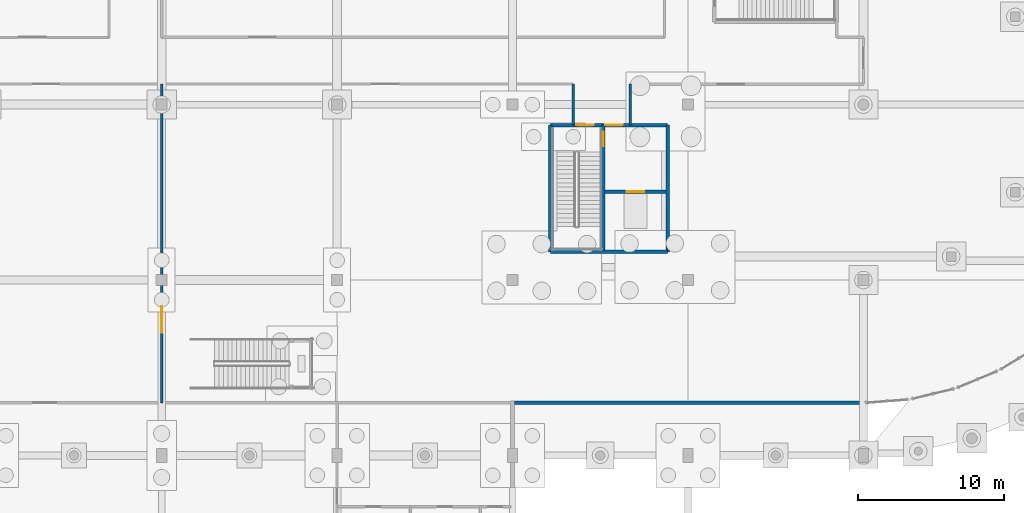
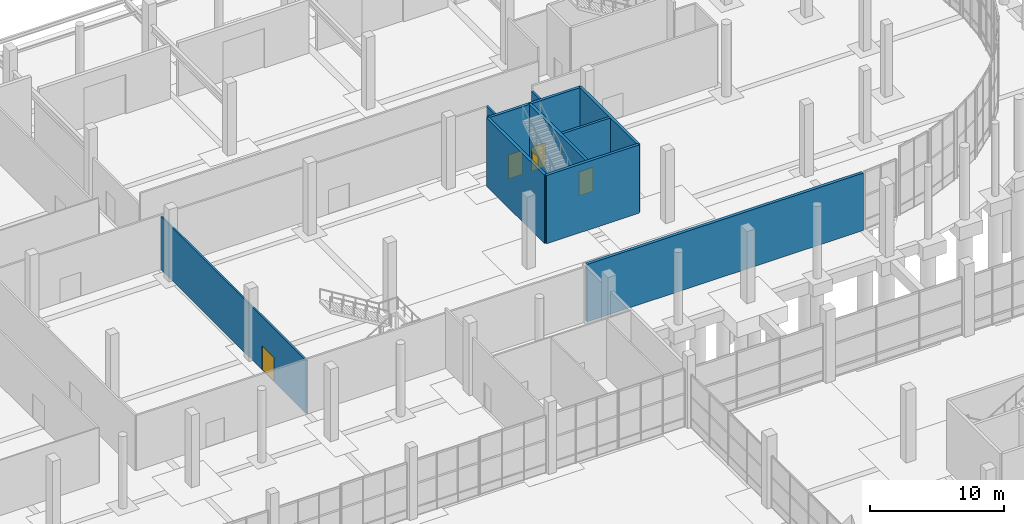
# One storey, part 93 of 117: 10 walls, 5 doors, 5 openings.
"""IFC4 building model written with IfcOpenShell, lengths in metres."""

import ifcopenshell
import ifcopenshell.guid

model = None  # the IFC model being written
_history = None  # IfcOwnerHistory: only IFC2X3 demands one
_inside = {}  # id of a spatial element -> (the spatial element, [elements in it])
_under = {}  # id of a project, library or spatial element -> (it, [spatial elements below it])
_declared = {}  # id of a project -> (the project, [libraries it declares])
_typed = {}  # id of a type object -> (the type object, [elements of that type])
_made_of = {}  # id of a material, layer set ... -> (it, [elements and type objects made of it])


def new_model(schema):
    """Start an empty IFC model of exactly this schema.

    Asked for "IFC4X3", IfcOpenShell would pick the latest addendum, in which some entities
    have other attributes; the version numbers below select the first issue.
    IFC2X3 requires an IfcOwnerHistory on every rooted entity: one is made here for all.
    """
    global model, _history
    if schema == "IFC4X3":
        model = ifcopenshell.file(schema_version=(4, 3, 0, 0))
    else:
        model = ifcopenshell.file(schema=schema)
    _inside.clear()
    _under.clear()
    _declared.clear()
    _typed.clear()
    _made_of.clear()
    _history = None
    if model.schema == "IFC2X3":
        org = make("IfcOrganization", Name="unknown")
        user = make(
            "IfcPersonAndOrganization",
            ThePerson=make("IfcPerson", FamilyName="unknown"),
            TheOrganization=org,
        )
        app = make(
            "IfcApplication",
            ApplicationDeveloper=org,
            Version="unknown",
            ApplicationFullName="unknown",
            ApplicationIdentifier="unknown",
        )
        _history = make(
            "IfcOwnerHistory",
            OwningUser=user,
            OwningApplication=app,
            ChangeAction="ADDED",
            CreationDate=0,
        )
    return model


def make(cls, **values):
    """One entity of the class cls with the attributes given. An attribute that is None is left unset."""
    return model.create_entity(
        cls, **{name: value for name, value in values.items() if value is not None}
    )


def rooted(cls, **values):
    """An entity with a GlobalId (a new one), such as an element, a storey or a relation."""
    return make(cls, GlobalId=ifcopenshell.guid.new(), OwnerHistory=_history, **values)


def si_unit(unit_type, name, prefix=None):
    """IfcSIUnit, for example si_unit("LENGTHUNIT", "METRE", prefix="MILLI")."""
    return make("IfcSIUnit", UnitType=unit_type, Prefix=prefix, Name=name)


def assignment(units):
    """IfcUnitAssignment: the units of a project."""
    return None if units is None else make("IfcUnitAssignment", Units=units)


def point(xyz):
    """IfcCartesianPoint."""
    return None if xyz is None else make("IfcCartesianPoint", Coordinates=xyz)


def direction(xyz):
    """IfcDirection."""
    return None if xyz is None else make("IfcDirection", DirectionRatios=xyz)


def frame(location, z_axis=None, x_axis=None):
    """IfcAxis2Placement3D, a coordinate frame: its origin and axes. An axis left out is left unset."""
    return make(
        "IfcAxis2Placement3D",
        Location=point(location),
        Axis=direction(z_axis),
        RefDirection=direction(x_axis),
    )


def frame_2d(location, x_axis=None):
    """IfcAxis2Placement2D, a coordinate frame in the plane: its origin and x axis."""
    return make(
        "IfcAxis2Placement2D", Location=point(location), RefDirection=direction(x_axis)
    )


def origin():
    """The frame at (0, 0, 0) with its axes left unset."""
    return frame((0.0, 0.0, 0.0))


def place(relative_to, where):
    """IfcLocalPlacement: puts the frame where relative to a parent placement (None: the world)."""
    return make(
        "IfcLocalPlacement", PlacementRelTo=relative_to, RelativePlacement=where
    )


def context(
    kind, dimensions, precision=None, world=None, true_north=None, identifier=None
):
    """IfcGeometricRepresentationContext, for example the 3D "Model" context."""
    return make(
        "IfcGeometricRepresentationContext",
        ContextIdentifier=identifier,
        ContextType=kind,
        CoordinateSpaceDimension=dimensions,
        Precision=precision,
        WorldCoordinateSystem=world,
        TrueNorth=true_north,
    )


def subcontext(parent, identifier, kind, view, scale=None):
    """IfcGeometricRepresentationSubContext, for example "Body" below "Model"."""
    return make(
        "IfcGeometricRepresentationSubContext",
        ContextIdentifier=identifier,
        ContextType=kind,
        ParentContext=parent,
        TargetScale=scale,
        TargetView=view,
    )


def project(units=None, contexts=None):
    """IfcProject with its units and contexts."""
    return rooted(
        "IfcProject",
        Name="project",
        RepresentationContexts=contexts,
        UnitsInContext=assignment(units),
    )


def spatial(cls, under=None, at=None, **own):
    """A site, building, storey or space (cls), placed at a placement, below another one or the project."""
    s = rooted(cls, ObjectPlacement=at, **own)
    if under is not None:
        _under.setdefault(under.id(), (under, []))[1].append(s)
    return s


def profile(cls, at=None, kind="AREA", **sizes):
    """A parametric profile (cls). Its sizes go by their IFC names, for example OverallWidth=200.0."""
    return make(cls, ProfileType=kind, Position=at, **sizes)


def rectangle(**sizes):
    """IfcRectangleProfileDef."""
    return profile("IfcRectangleProfileDef", **sizes)


def extrude(swept, where, along, depth):
    """IfcExtrudedAreaSolid: the profile swept, set in the frame where, extruded along a direction by depth."""
    return make(
        "IfcExtrudedAreaSolid",
        SweptArea=swept,
        Position=where,
        ExtrudedDirection=direction(along),
        Depth=depth,
    )


def shape(context_of_items, identifier, shape_type, items):
    """IfcShapeRepresentation: the items that make up one representation, for example the "Body"."""
    return make(
        "IfcShapeRepresentation",
        ContextOfItems=context_of_items,
        RepresentationIdentifier=identifier,
        RepresentationType=shape_type,
        Items=items,
    )


def material(Name=None, Category=None):
    """IfcMaterial."""
    return make("IfcMaterial", Name=Name, Category=Category)


def layer(
    of_material, thickness, ventilated=None, Name=None, Category=None, Priority=None
):
    """IfcMaterialLayer: one layer of a wall or slab, of a material (None: an air gap)."""
    return make(
        "IfcMaterialLayer",
        Material=of_material,
        LayerThickness=thickness,
        IsVentilated=ventilated,
        Name=Name,
        Category=Category,
        Priority=Priority,
    )


def layer_set(layers, Name=None):
    """IfcMaterialLayerSet."""
    return make("IfcMaterialLayerSet", MaterialLayers=layers, LayerSetName=Name)


def made_of(thing, what):
    """Note that an element or type object is made of a material, layer set ...; save() writes the relation."""
    if what is not None:
        _made_of.setdefault(what.id(), (what, []))[1].append(thing)
    return thing


def type_object(cls, material=None, **own):
    """A type object (cls), such as IfcWallType, which elements share."""
    return made_of(rooted(cls, **own), material)


def element(
    cls,
    number,
    at=None,
    inside=None,
    cuts=None,
    type_object=None,
    material=None,
    context=None,
    identifier="Body",
    shape_type=None,
    held_by="IfcProductDefinitionShape",
    body=None,
    shapes=None,
    **own,
):
    """One element of the class cls, such as IfcWall. Its Tag is "e" and its number.

    at: its placement. inside: the storey or other place that contains it. cuts: it is an
    opening in that element (IfcRelVoidsElement). A single representation is given by context,
    identifier, shape_type and body (its items); several are given by shapes. held_by: the class
    of the entity that holds the representations. save() writes the other relations.
    """
    e = rooted(cls, Tag="e%d" % number, ObjectPlacement=at, **own)
    if body is not None:
        shapes = [shape(context, identifier, shape_type, body)]
    if shapes is not None:
        e.Representation = make(held_by, Representations=shapes)
    if inside is not None:
        _inside.setdefault(inside.id(), (inside, []))[1].append(e)
    if cuts is not None:
        rooted(
            "IfcRelVoidsElement", RelatingBuildingElement=cuts, RelatedOpeningElement=e
        )
    if type_object is not None:
        _typed.setdefault(type_object.id(), (type_object, []))[1].append(e)
    return made_of(e, material)


def fill(opening, filler):
    """IfcRelFillsElement: the door or window that sits in an opening."""
    return rooted(
        "IfcRelFillsElement",
        RelatingOpeningElement=opening,
        RelatedBuildingElement=filler,
    )


def aggregate(whole, parts):
    """IfcRelAggregates: a whole, such as a stair, and the parts it consists of."""
    return rooted("IfcRelAggregates", RelatingObject=whole, RelatedObjects=parts)


def save(model, path):
    """Write the relations noted so far, then the file.

    IfcRelAggregates (storeys below a building ...), IfcRelContainedInSpatialStructure (elements
    in a storey), IfcRelDefinesByType, IfcRelAssociatesMaterial and IfcRelDeclares: one each for
    every whole, place, type object, material and project.
    """
    for whole, parts in _under.values():
        aggregate(whole, parts)
    for where, things in _inside.values():
        rooted(
            "IfcRelContainedInSpatialStructure",
            RelatedElements=things,
            RelatingStructure=where,
        )
    for kind, things in _typed.values():
        rooted("IfcRelDefinesByType", RelatedObjects=things, RelatingType=kind)
    for what, things in _made_of.values():
        rooted("IfcRelAssociatesMaterial", RelatedObjects=things, RelatingMaterial=what)
    for by, libraries in _declared.values():
        rooted("IfcRelDeclares", RelatingContext=by, RelatedDefinitions=libraries)
    model.write(path)


model = new_model("IFC4")

# Units and contexts
model_context = context("Model", 3, precision=1e-05, world=origin(), true_north=direction((0.0, 1.0)))
body_context = subcontext(model_context, "Body", "Model", "MODEL_VIEW")
ifc_project = project(units=[si_unit("LENGTHUNIT", "METRE"), si_unit("AREAUNIT", "SQUARE_METRE"), si_unit("VOLUMEUNIT", "CUBIC_METRE"), si_unit("PLANEANGLEUNIT", "RADIAN"), si_unit("MASSUNIT", "GRAM", prefix="KILO")], contexts=[model_context])

# Site, building, storey
site_placement = place(None, origin())
site = spatial("IfcSite", under=ifc_project, at=site_placement, CompositionType="ELEMENT")
building_placement = place(site_placement, origin())
building = spatial("IfcBuilding", under=site, at=building_placement, Name="Kamomehara Wholesale Market", CompositionType="ELEMENT")
storey_placement = place(building_placement, origin())
storey = spatial("IfcBuildingStorey", under=building, at=storey_placement, Name="L00", CompositionType="ELEMENT", Elevation=0.0)

# Walls
ifc_material_1 = material(Name="Precast concrete Fc45 (C40/50)", Category="concrete")
ifc_layer_1 = layer(ifc_material_1, 0.260009765625)
ifc_layer_set_1 = layer_set([ifc_layer_1], Name="Precast concrete Fc45 (C40/50)")
wall_type_1 = type_object("IfcWallType", Name="EW-PC-260", PredefinedType="SOLIDWALL", material=ifc_layer_set_1)
wall_1_placement = place(storey_placement, frame((180.0, 111.60009765625, 0.0), z_axis=(0.0, 0.0, 1.0), x_axis=(-1.0, 0.0, 0.0)))
element("IfcWall", 1, at=wall_1_placement, inside=storey, type_object=wall_type_1, Name="Exterior wall EW-PC-260 76", PredefinedType="SOLIDWALL", context=body_context, shape_type="SweptSolid", body=[
    extrude(rectangle(XDim=23.8701171875, YDim=0.260009765625, at=frame_2d((11.93505859375, 0.0))), origin(), (0.0, 0.0, 1.0), 5.248046875),
])
ifc_material_2 = material(Name="Gypsum board partition")
ifc_layer_2 = layer(ifc_material_2, 0.14990234375)
ifc_layer_set_2 = layer_set([ifc_layer_2], Name="Gypsum board partition")
wall_type_2 = type_object("IfcWallType", Name="IW-PRT-150", PredefinedType="PARTITIONING", material=ifc_layer_set_2)
for number, where, z_axis, x_axis, name in (
    (2, (160.14990234375, 130.60009765625, 0.0), (0.0, 0.0, 1.0), (0.0, 1.0, 0.0), "Interior wall IW-PRT-150 201"),
    (3, (164.050048828125, 130.60009765625, 0.0), (0.0, 0.0, 1.0), (0.0, 1.0, 0.0), "Interior wall IW-PRT-150 202"),
):
    element("IfcWall", number, at=place(storey_placement, frame(where, z_axis=z_axis, x_axis=x_axis)), inside=storey, type_object=wall_type_2, Name=name, PredefinedType="PARTITIONING", context=body_context, shape_type="SweptSolid", body=[
        extrude(rectangle(XDim=2.7998046875, YDim=0.14990234375, at=frame_2d((1.39990234375, 0.0))), origin(), (0.0, 0.0, 1.0), 5.052978515625),
    ])

# Wall, opening, door
wall_2_placement = place(storey_placement, frame((132.0, 111.60009765625, 0.0), z_axis=(0.0, 0.0, 1.0), x_axis=(0.0, 1.0, 0.0)))
wall_2 = element("IfcWall", 4, at=wall_2_placement, inside=storey, type_object=wall_type_2, Name="Interior wall IW-PRT-150 216", PredefinedType="PARTITIONING", context=body_context, shape_type="SweptSolid", body=[
    extrude(rectangle(XDim=21.7998046875, YDim=0.14990234375, at=frame_2d((10.89990234375, 0.0))), origin(), (0.0, 0.0, 1.0), 4.85302734375),
])
opening_1_placement = place(wall_2_placement, frame((4.800048828125, 0.0, 0.0)))
opening_1 = element("IfcOpeningElement", 5, at=opening_1_placement, cuts=wall_2, Name="Opening ID-L00-128", PredefinedType="OPENING", context=body_context, shape_type="SweptSolid", body=[
    extrude(rectangle(XDim=1.800048828125, YDim=2.199951171875, at=frame_2d((0.89990234375, 1.10009765625))), frame((0.0, 0.08984375, 0.0), z_axis=(0.0, -1.0, 0.0), x_axis=(1.0, 0.0, 0.0)), (0.0, 0.0, 1.0), 0.1796875),
])
ifc_material_3 = material(Name="Steel SN400B", Category="steel")
door_type_1 = type_object("IfcDoorType", Name="IDR-FD-1800x2200", OperationType="NOTDEFINED", PredefinedType="DOOR", material=ifc_material_3)
door_1_placement = place(opening_1_placement, origin())
door_1 = element("IfcDoor", 6, at=door_1_placement, inside=storey, type_object=door_type_1, Name="Interior door ID-L00-128", OperationType="SINGLE_SWING_RIGHT", OverallHeight=2.199951171875, OverallWidth=1.800048828125, PredefinedType="DOOR", context=body_context, shape_type="SweptSolid", body=[
    extrude(rectangle(XDim=1.800048828125, YDim=2.199951171875, at=frame_2d((0.89990234375, 1.10009765625))), frame((0.0, 0.02490234375, 0.0), z_axis=(0.0, -1.0, 0.0), x_axis=(1.0, 0.0, 0.0)), (0.0, 0.0, 1.0), 0.050048828125),
])
fill(opening_1, door_1)

ifc_material_4 = material(Name="Concrete Fc36 (C35/45)", Category="concrete")
ifc_layer_3 = layer(ifc_material_4, 0.219970703125)
ifc_layer_set_3 = layer_set([ifc_layer_3], Name="Concrete Fc36 (C35/45)")
wall_type_3 = type_object("IfcWallType", Name="IW-SHR-220", PredefinedType="SHEAR", material=ifc_layer_set_3)
wall_3_placement = place(storey_placement, frame((162.340087890625, 126.0400390625, 0.0), z_axis=(0.0, 0.0, 1.0), x_axis=(1.0, 0.0, 0.0)))
wall_3 = element("IfcWall", 7, at=wall_3_placement, inside=storey, type_object=wall_type_3, Name="Interior wall IW-SHR-220 18", PredefinedType="SHEAR", context=body_context, shape_type="SweptSolid", body=[
    extrude(rectangle(XDim=4.139892578125, YDim=0.219970703125, at=frame_2d((2.06982421875, 0.0))), origin(), (0.0, 0.0, 1.0), 6.25),
])
opening_2_placement = place(wall_3_placement, frame((1.469970703125, 0.0, 0.0)))
opening_2 = element("IfcOpeningElement", 8, at=opening_2_placement, cuts=wall_3, Name="Opening LD-LP-01-L00", PredefinedType="OPENING", context=body_context, shape_type="SweptSolid", body=[
    extrude(rectangle(XDim=1.199951171875, YDim=2.199951171875, at=frame_2d((0.60009765625, 1.10009765625))), frame((0.0, 0.125, 0.0), z_axis=(0.0, -1.0, 0.0), x_axis=(1.0, 0.0, 0.0)), (0.0, 0.0, 1.0), 0.249755859375),
])
ifc_material_5 = material(Name="Steel SN400B", Category="steel")
door_type_2 = type_object("IfcDoorType", Name="LDR-PAX-1200x2200", OperationType="DOUBLE_DOOR_SLIDING", PredefinedType="DOOR", material=ifc_material_5)
door_2_placement = place(opening_2_placement, origin())
door_2 = element("IfcDoor", 9, at=door_2_placement, inside=storey, type_object=door_type_2, Name="Lift sliding landing door LD-LP-01-L00", OperationType="DOUBLE_DOOR_SLIDING", OverallHeight=2.199951171875, OverallWidth=1.199951171875, PredefinedType="DOOR", context=body_context, shape_type="SweptSolid", body=[
    extrude(rectangle(XDim=1.199951171875, YDim=2.199951171875, at=frame_2d((0.60009765625, 1.10009765625))), frame((0.0, 0.02490234375, 0.0), z_axis=(0.0, -1.0, 0.0), x_axis=(1.0, 0.0, 0.0)), (0.0, 0.0, 1.0), 0.050048828125),
])
fill(opening_2, door_2)

# Walls
ifc_material_6 = material(Name="Concrete Fc36 (C35/45)", Category="concrete")
ifc_layer_4 = layer(ifc_material_6, 0.239990234375)
ifc_layer_set_4 = layer_set([ifc_layer_4], Name="Concrete Fc36 (C35/45)")
wall_type_4 = type_object("IfcWallType", Name="IW-SHR-240", PredefinedType="SHEAR", material=ifc_layer_set_4)
wall_4_placement = place(storey_placement, frame((158.580078125, 130.60009765625, 0.0), z_axis=(0.0, 0.0, 1.0), x_axis=(0.0, -1.0, 0.0)))
element("IfcWall", 10, at=wall_4_placement, inside=storey, type_object=wall_type_4, Name="Interior wall IW-SHR-240 13", PredefinedType="SHEAR", context=body_context, shape_type="SweptSolid", body=[
    extrude(rectangle(XDim=8.670166015625, YDim=0.239990234375, at=frame_2d((4.3349609375, 0.0))), origin(), (0.0, 0.0, 1.0), 6.25),
])
wall_5_placement = place(storey_placement, frame((158.580078125, 121.929931640625, 0.0), z_axis=(0.0, 0.0, 1.0), x_axis=(1.0, 0.0, 0.0)))
element("IfcWall", 11, at=wall_5_placement, inside=storey, type_object=wall_type_4, Name="Interior wall IW-SHR-240 14", PredefinedType="SHEAR", context=body_context, shape_type="SweptSolid", body=[
    extrude(rectangle(XDim=8.02001953125, YDim=0.239990234375, at=frame_2d((4.010009765625, 0.0))), origin(), (0.0, 0.0, 1.0), 6.25),
])

# Wall, opening, door
wall_6_placement = place(storey_placement, frame((162.219970703125, 121.929931640625, 0.0), z_axis=(0.0, 0.0, 1.0), x_axis=(0.0, 1.0, 0.0)))
wall_6 = element("IfcWall", 12, at=wall_6_placement, inside=storey, type_object=wall_type_4, Name="Interior wall IW-SHR-240 15", PredefinedType="SHEAR", context=body_context, shape_type="SweptSolid", body=[
    extrude(rectangle(XDim=8.670166015625, YDim=0.239990234375, at=frame_2d((4.3349609375, 0.0))), origin(), (0.0, 0.0, 1.0), 6.25),
])
opening_3_placement = place(wall_6_placement, frame((7.219970703125, 0.0, 0.0)))
opening_3 = element("IfcOpeningElement", 13, at=opening_3_placement, cuts=wall_6, Name="Opening FD-L00-C2I", PredefinedType="OPENING", context=body_context, shape_type="SweptSolid", body=[
    extrude(rectangle(XDim=1.0, YDim=2.199951171875, at=frame_2d((0.5, 1.10009765625))), frame((0.0, 0.134765625, 0.0), z_axis=(0.0, -1.0, 0.0), x_axis=(1.0, 0.0, 0.0)), (0.0, 0.0, 1.0), 0.269775390625),
])
ifc_material_7 = material(Name="Anodised aluminium 6063-T5", Category="aluminium")
door_type_3 = type_object("IfcDoorType", Name="IDR-RM-1000x2200", OperationType="NOTDEFINED", PredefinedType="DOOR", material=ifc_material_7)
door_3_placement = place(opening_3_placement, origin())
door_3 = element("IfcDoor", 14, at=door_3_placement, inside=storey, type_object=door_type_3, Name="Core lobby-stair fire door FD-L00-C2I", OperationType="SINGLE_SWING_RIGHT", OverallHeight=2.199951171875, OverallWidth=1.0, PredefinedType="DOOR", context=body_context, shape_type="SweptSolid", body=[
    extrude(rectangle(XDim=1.0, YDim=2.199951171875, at=frame_2d((0.5, 1.10009765625))), frame((0.0, 0.02490234375, 0.0), z_axis=(0.0, -1.0, 0.0), x_axis=(1.0, 0.0, 0.0)), (0.0, 0.0, 1.0), 0.050048828125),
])
fill(opening_3, door_3)

# Wall
wall_7_placement = place(storey_placement, frame((166.60009765625, 121.929931640625, 0.0), z_axis=(0.0, 0.0, 1.0), x_axis=(0.0, 1.0, 0.0)))
element("IfcWall", 15, at=wall_7_placement, inside=storey, type_object=wall_type_4, Name="Interior wall IW-SHR-240 16", PredefinedType="SHEAR", context=body_context, shape_type="SweptSolid", body=[
    extrude(rectangle(XDim=8.670166015625, YDim=0.239990234375, at=frame_2d((4.3349609375, 0.0))), origin(), (0.0, 0.0, 1.0), 6.25),
])

# Wall, openings, doors
wall_8_placement = place(storey_placement, frame((158.580078125, 130.60009765625, 0.0), z_axis=(0.0, 0.0, 1.0), x_axis=(1.0, 0.0, 0.0)))
wall_8 = element("IfcWall", 16, at=wall_8_placement, inside=storey, type_object=wall_type_4, Name="Interior wall IW-SHR-240 17", PredefinedType="SHEAR", context=body_context, shape_type="SweptSolid", body=[
    extrude(rectangle(XDim=8.02001953125, YDim=0.239990234375, at=frame_2d((4.010009765625, 0.0))), origin(), (0.0, 0.0, 1.0), 6.25),
])
opening_4_placement = place(wall_8_placement, frame((1.77001953125, 0.0, 0.0)))
opening_4 = element("IfcOpeningElement", 17, at=opening_4_placement, cuts=wall_8, Name="Opening FD-L00-C2S", PredefinedType="OPENING", context=body_context, shape_type="SweptSolid", body=[
    extrude(rectangle(XDim=1.199951171875, YDim=2.199951171875, at=frame_2d((0.60009765625, 1.10009765625))), frame((0.0, 0.134765625, 0.0), z_axis=(0.0, -1.0, 0.0), x_axis=(1.0, 0.0, 0.0)), (0.0, 0.0, 1.0), 0.269775390625),
])
opening_5_placement = place(wall_8_placement, frame((3.77001953125, 0.0, 0.0)))
opening_5 = element("IfcOpeningElement", 18, at=opening_5_placement, cuts=wall_8, Name="Opening FD-L00-C2L", PredefinedType="OPENING", context=body_context, shape_type="SweptSolid", body=[
    extrude(rectangle(XDim=1.199951171875, YDim=2.199951171875, at=frame_2d((0.60009765625, 1.10009765625))), frame((0.0, 0.134765625, 0.0), z_axis=(0.0, -1.0, 0.0), x_axis=(1.0, 0.0, 0.0)), (0.0, 0.0, 1.0), 0.269775390625),
])
ifc_material_8 = material(Name="Steel SN400B", Category="steel")
door_type_4 = type_object("IfcDoorType", Name="IDR-FD-1200x2200", OperationType="NOTDEFINED", PredefinedType="DOOR", material=ifc_material_8)
door_4_placement = place(opening_4_placement, origin())
door_4 = element("IfcDoor", 19, at=door_4_placement, inside=storey, type_object=door_type_4, Name="Stair fire door FD-L00-C2S", OperationType="SINGLE_SWING_LEFT", OverallHeight=2.199951171875, OverallWidth=1.199951171875, PredefinedType="DOOR", context=body_context, shape_type="SweptSolid", body=[
    extrude(rectangle(XDim=1.199951171875, YDim=2.199951171875, at=frame_2d((0.60009765625, 1.10009765625))), frame((0.0, 0.02490234375, 0.0), z_axis=(0.0, -1.0, 0.0), x_axis=(1.0, 0.0, 0.0)), (0.0, 0.0, 1.0), 0.050048828125),
])
fill(opening_4, door_4)
door_5_placement = place(opening_5_placement, origin())
door_5 = element("IfcDoor", 20, at=door_5_placement, inside=storey, type_object=door_type_4, Name="Lift lobby fire door FD-L00-C2L", OperationType="SINGLE_SWING_RIGHT", OverallHeight=2.199951171875, OverallWidth=1.199951171875, PredefinedType="DOOR", context=body_context, shape_type="SweptSolid", body=[
    extrude(rectangle(XDim=1.199951171875, YDim=2.199951171875, at=frame_2d((0.60009765625, 1.10009765625))), frame((0.0, 0.02490234375, 0.0), z_axis=(0.0, -1.0, 0.0), x_axis=(1.0, 0.0, 0.0)), (0.0, 0.0, 1.0), 0.050048828125),
])
fill(opening_5, door_5)

save(model, "model.ifc")
